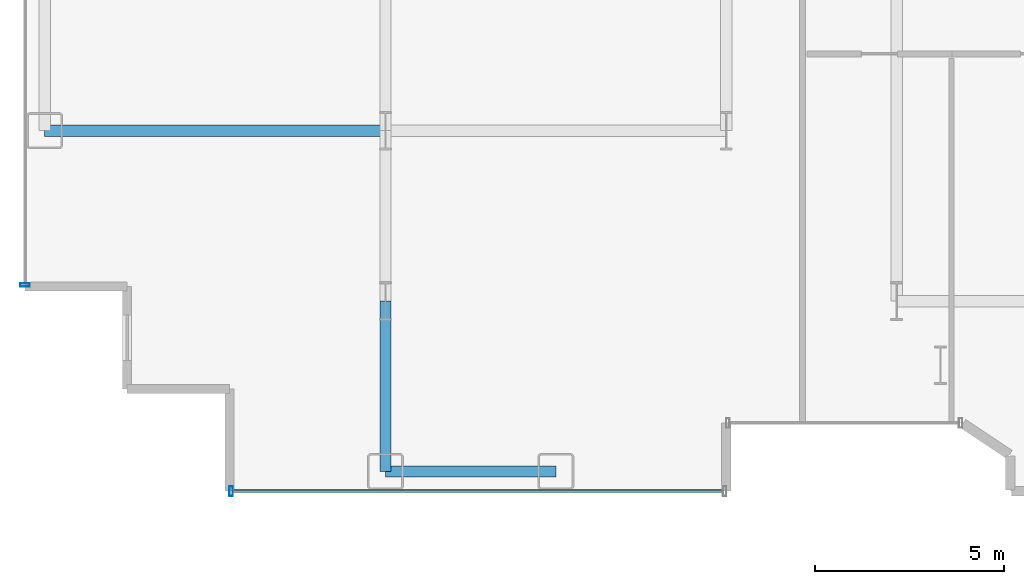
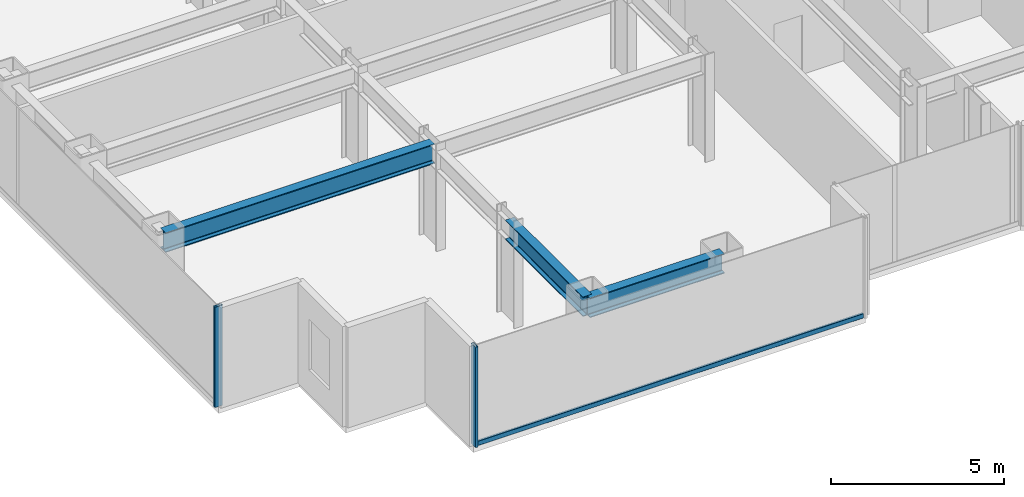
# One storey, part 2 of 26: 3 beams, 3 members, 2 elements without a shape of their own.
"""IFC4 building model written with IfcOpenShell, lengths in metres."""

from ifc_helpers import new_model, si_unit, direction, frame, origin, origin_2d, place, context, subcontext, project, spatial, hollow_rectangle, i_section, extrude, source, transform, mapped, material, layer, layer_set, material_profile, profile_set, type_object, element, aggregate, save


model = new_model("IFC4")

# Units and contexts
model_context = context("Model", 3, precision=1e-05, world=origin(), true_north=direction((0.0, 1.0)))
body_context = subcontext(model_context, "Body", "Model", "MODEL_VIEW")
ifc_project = project(units=[si_unit("LENGTHUNIT", "METRE"), si_unit("AREAUNIT", "SQUARE_METRE"), si_unit("VOLUMEUNIT", "CUBIC_METRE"), si_unit("PLANEANGLEUNIT", "RADIAN"), si_unit("MASSUNIT", "GRAM", prefix="KILO")], contexts=[model_context])

# Site, building, storey
site_placement = place(None, origin())
site = spatial("IfcSite", under=ifc_project, at=site_placement, CompositionType="ELEMENT")
building_placement = place(site_placement, origin())
building = spatial("IfcBuilding", under=site, at=building_placement, Name="Nefas-Gora Pilgrimage Tower", CompositionType="ELEMENT")
storey_placement = place(building_placement, frame((0.0, 0.0, 59.60009765625)))
storey = spatial("IfcBuildingStorey", under=building, at=storey_placement, Name="L13", CompositionType="ELEMENT", Elevation=59.60009765625)

# Beams
ifc_material_1 = material(Name="Steel S355", Category="steel")
ifc_material_profile_1 = material_profile(ifc_material_1, i_section(OverallWidth=0.300048828125, OverallDepth=0.699951171875, WebThickness=0.01708984375, FlangeThickness=0.031982421875, FilletRadius=0.027099609375, at=origin_2d()), Name="HEB 700")
ifc_profile_set_1 = profile_set([ifc_material_profile_1], Name="Steel S355")
beam_type_1 = type_object("IfcBeamType", Name="BM-SPN-HEB600", PredefinedType="SPANDREL", material=ifc_profile_set_1)
shared_shape_1 = source(origin(), body_context, "Body", "SweptSolid", [
    extrude(i_section(OverallWidth=0.300048828125, OverallDepth=0.699951171875, WebThickness=0.01708984375, FlangeThickness=0.031982421875, FilletRadius=0.027099609375, at=origin_2d()), origin(), (0.0, 0.0, 1.0), 4.5),
])
beam_1_placement = place(storey_placement, frame((-24.75, -22.5, 3.199951171875), z_axis=(1.0, 0.0, 0.0), x_axis=(0.0, 1.0, 0.0)))
element("IfcBeam", 1, at=beam_1_placement, inside=storey, type_object=beam_type_1, Name="L13 SP-01 beam", PredefinedType="SPANDREL", context=body_context, shape_type="MappedRepresentation", body=[
    mapped(shared_shape_1, transform((0.0, 0.0, 0.0), x_axis=(1.0, 0.0, 0.0), y_axis=(0.0, 1.0, 0.0), z_axis=(0.0, 0.0, 1.0), scale=1.0)),
])
ifc_material_profile_2 = material_profile(ifc_material_1, i_section(OverallWidth=0.300048828125, OverallDepth=0.699951171875, WebThickness=0.01708984375, FlangeThickness=0.031982421875, FilletRadius=0.027099609375, at=origin_2d()), Name="HEB 700")
ifc_profile_set_2 = profile_set([ifc_material_profile_2], Name="Steel S355")
beam_type_2 = type_object("IfcBeamType", Name="BM-GIR-HEB700", PredefinedType="BEAM", material=ifc_profile_set_2)
shared_shape_2 = source(origin(), body_context, "Body", "SweptSolid", [
    extrude(i_section(OverallWidth=0.300048828125, OverallDepth=0.699951171875, WebThickness=0.01708984375, FlangeThickness=0.031982421875, FilletRadius=0.027099609375, at=origin_2d()), origin(), (0.0, 0.0, 1.0), 9.0),
])
beam_2_placement = place(storey_placement, frame((-33.75, -13.5, 3.199951171875), z_axis=(1.0, 0.0, 0.0), x_axis=(0.0, 1.0, 0.0)))
element("IfcBeam", 2, at=beam_2_placement, inside=storey, type_object=beam_type_2, Name="L13 G-02 beam", PredefinedType="BEAM", context=body_context, shape_type="MappedRepresentation", body=[
    mapped(shared_shape_2, transform((0.0, 0.0, 0.0), x_axis=(1.0, 0.0, 0.0), y_axis=(0.0, 1.0, 0.0), z_axis=(0.0, 0.0, 1.0), scale=1.0)),
])
shared_shape_3 = source(origin(), body_context, "Body", "SweptSolid", [
    extrude(i_section(OverallWidth=0.300048828125, OverallDepth=0.699951171875, WebThickness=0.01708984375, FlangeThickness=0.031982421875, FilletRadius=0.027099609375, at=origin_2d()), origin(), (0.0, 0.0, 1.0), 4.5),
])
beam_3_placement = place(storey_placement, frame((-24.75, -22.5, 3.199951171875), z_axis=(0.0, 1.0, 0.0), x_axis=(-1.0, 0.0, 0.0)))
element("IfcBeam", 3, at=beam_3_placement, inside=storey, type_object=beam_type_2, Name="L13 G-02 beam", PredefinedType="BEAM", context=body_context, shape_type="MappedRepresentation", body=[
    mapped(shared_shape_3, transform((0.0, 0.0, 0.0), x_axis=(1.0, 0.0, 0.0), y_axis=(0.0, 1.0, 0.0), z_axis=(0.0, 0.0, 1.0), scale=1.0)),
])

# Curtain wall, member
ifc_material_2 = material(Name="Dark ceramic-fritted solar-control aluminium-glass curtain wall", Category="aluminium")
ifc_layer = layer(ifc_material_2, 0.219970703125)
ifc_layer_set = layer_set([ifc_layer], Name="Dark ceramic-fritted solar-control aluminium-glass curtain wall")
curtain_wall_type = type_object("IfcCurtainWallType", Name="CW-SYS-2", PredefinedType="NOTDEFINED", material=ifc_layer_set)
curtain_wall_1_placement = place(storey_placement, origin())
curtain_wall_1 = element("IfcCurtainWall", 4, at=curtain_wall_1_placement, inside=storey, type_object=curtain_wall_type, Name="L13 Unitised Curtain Wall CW2", PredefinedType="NOTDEFINED")
ifc_material_3 = material(Name="Anodised architectural aluminium", Category="aluminium")
ifc_material_profile_3 = material_profile(ifc_material_3, hollow_rectangle(XDim=0.080078125, YDim=0.159912109375, WallThickness=0.00439453125, InnerFilletRadius=0.00439453125, OuterFilletRadius=0.009033203125, at=origin_2d()), Name="ALU TRANSOM 80x160")
ifc_profile_set_3 = profile_set([ifc_material_profile_3], Name="Anodised architectural aluminium")
member_type_1 = type_object("IfcMemberType", Name="CWM-TRN-2", PredefinedType="USERDEFINED", material=ifc_profile_set_3)
shared_shape_4 = source(origin(), body_context, "Body", "SweptSolid", [
    extrude(hollow_rectangle(XDim=0.080078125, YDim=0.159912109375, WallThickness=0.00439453125, InnerFilletRadius=0.00439453125, OuterFilletRadius=0.009033203125, at=origin_2d()), origin(), (0.0, 0.0, 1.0), 12.93994140625),
])
member_1_placement = place(storey_placement, frame((-28.780029296875, -23.02001953125, 0.0498046875), z_axis=(1.0, 0.0, 0.0), x_axis=(0.0, 1.0, 0.0)))
member_1 = element("IfcMember", 5, at=member_1_placement, type_object=member_type_1, Name="CW2 Spandrel Transom", ObjectType="TRANSOM", PredefinedType="USERDEFINED", context=body_context, shape_type="MappedRepresentation", body=[
    mapped(shared_shape_4, transform((0.0, 0.0, 0.0), x_axis=(1.0, 0.0, 0.0), y_axis=(0.0, 1.0, 0.0), z_axis=(0.0, 0.0, 1.0), scale=1.0)),
])

curtain_wall_2_placement = place(storey_placement, origin())
curtain_wall_2 = element("IfcCurtainWall", 6, at=curtain_wall_2_placement, inside=storey, type_object=curtain_wall_type, Name="L13 Unitised Curtain Wall CW2", PredefinedType="NOTDEFINED")
ifc_material_profile_4 = material_profile(ifc_material_3, hollow_rectangle(XDim=0.090087890625, YDim=0.260009765625, WallThickness=0.006103515625, InnerFilletRadius=0.006103515625, OuterFilletRadius=0.011962890625, at=origin_2d()), Name="ALU MULLION 90x260")
ifc_profile_set_4 = profile_set([ifc_material_profile_4], Name="Anodised architectural aluminium")
member_type_2 = type_object("IfcMemberType", Name="CWM-MUL-2", PredefinedType="MULLION", material=ifc_profile_set_4)
shared_shape_5 = source(origin(), body_context, "Body", "SweptSolid", [
    extrude(hollow_rectangle(XDim=0.090087890625, YDim=0.260009765625, WallThickness=0.006103515625, InnerFilletRadius=0.006103515625, OuterFilletRadius=0.011962890625, at=origin_2d()), origin(), (0.0, 0.0, 1.0), 3.5498046875),
])
member_2_placement = place(storey_placement, frame((-34.27001953125, -17.574951171875, 0.0), z_axis=(0.0, 0.0, 1.0), x_axis=(0.0, -1.0, 0.0)))
member_2 = element("IfcMember", 7, at=member_2_placement, type_object=member_type_2, Name="CW2 Mullion 2", PredefinedType="MULLION", context=body_context, shape_type="MappedRepresentation", body=[
    mapped(shared_shape_5, transform((0.0, 0.0, 0.0), x_axis=(1.0, 0.0, 0.0), y_axis=(0.0, 1.0, 0.0), z_axis=(0.0, 0.0, 1.0), scale=1.0)),
])
aggregate(curtain_wall_2, [member_2])

# Member
member_3_placement = place(storey_placement, frame((-28.824951171875, -23.02001953125, 0.0), z_axis=(0.0, 0.0, 1.0), x_axis=(1.0, 0.0, 0.0)))
member_3 = element("IfcMember", 8, at=member_3_placement, type_object=member_type_2, Name="CW2 Mullion 1", PredefinedType="MULLION", context=body_context, shape_type="MappedRepresentation", body=[
    mapped(shared_shape_5, transform((0.0, 0.0, 0.0), x_axis=(1.0, 0.0, 0.0), y_axis=(0.0, 1.0, 0.0), z_axis=(0.0, 0.0, 1.0), scale=1.0)),
])

aggregate(curtain_wall_1, [member_3, member_1])

save(model, "model.ifc")
